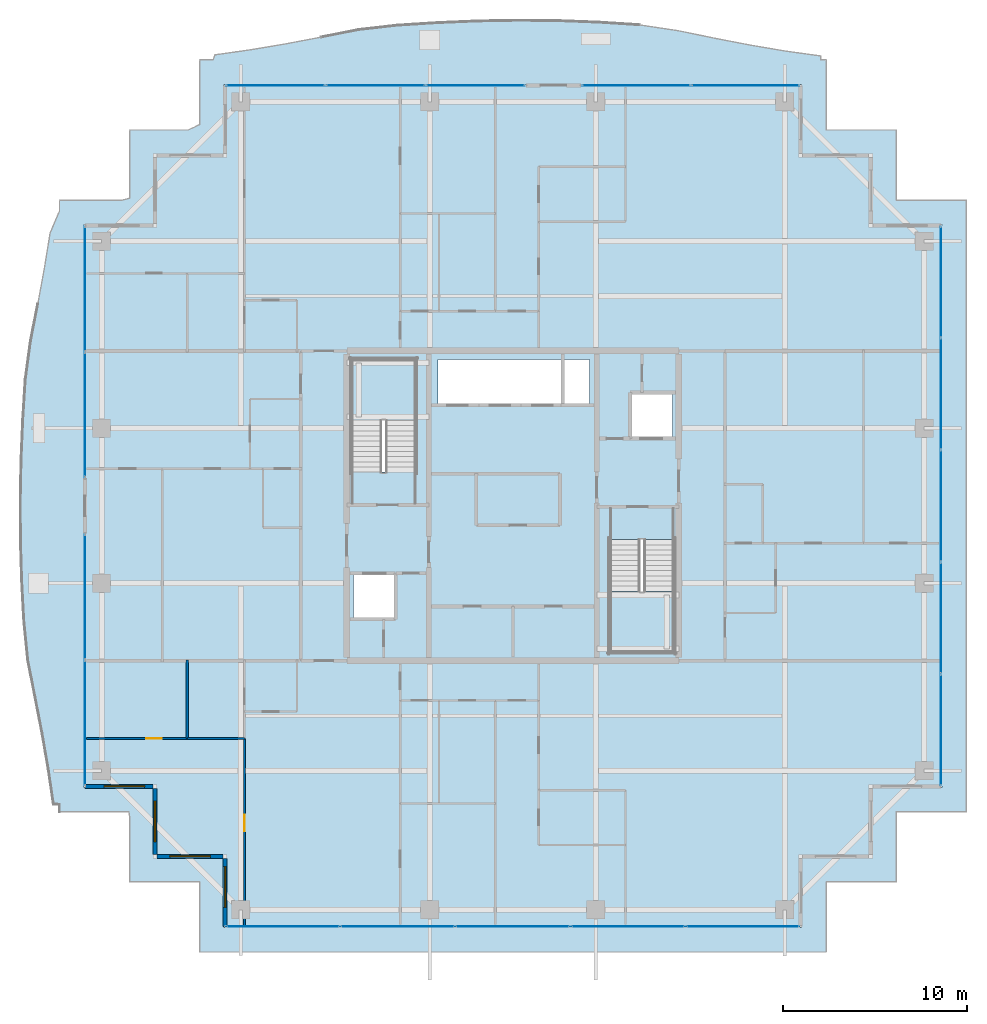
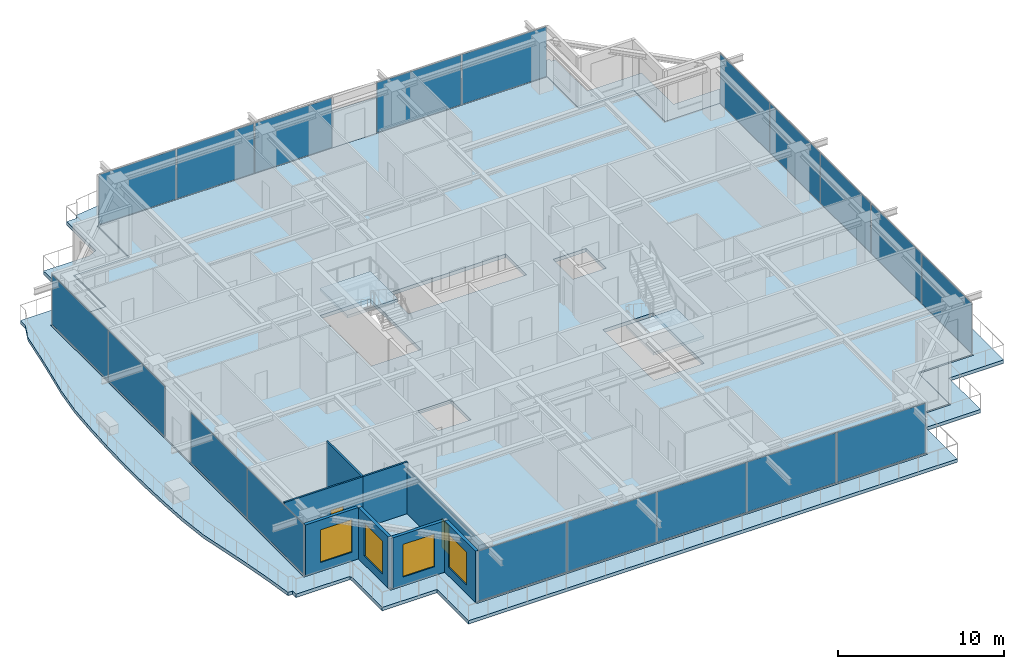
# One storey, part 25 of 37: 19 plates, 8 walls, 4 slabs, 4 windows, 2 doors, 6 openings, 8 elements without a shape of their own.
"""IFC4 building model written with IfcOpenShell, lengths in metres."""

from ifc_helpers import new_model, si_unit, direction, frame, frame_2d, origin, origin_2d, place, context, subcontext, project, spatial, polyline, rectangle, outline, extrude, source, transform, mapped, material, layer, layer_set, type_object, element, fill, aggregate, save


model = new_model("IFC4")

# Units and contexts
model_context = context("Model", 3, precision=1e-05, world=origin(), true_north=direction((0.0, 1.0)))
body_context = subcontext(model_context, "Body", "Model", "MODEL_VIEW")
ifc_project = project(units=[si_unit("LENGTHUNIT", "METRE"), si_unit("AREAUNIT", "SQUARE_METRE"), si_unit("VOLUMEUNIT", "CUBIC_METRE"), si_unit("PLANEANGLEUNIT", "RADIAN"), si_unit("MASSUNIT", "GRAM", prefix="KILO")], contexts=[model_context])

# Site, building, storey
site_placement = place(None, origin())
site = spatial("IfcSite", under=ifc_project, at=site_placement, CompositionType="ELEMENT")
building_placement = place(site_placement, origin())
building = spatial("IfcBuilding", under=site, at=building_placement, Name="Serunith Strait Residences", CompositionType="ELEMENT")
storey_placement = place(building_placement, frame((0.0, 0.0, 317.75)))
storey = spatial("IfcBuildingStorey", under=building, at=storey_placement, Name="L79", CompositionType="ELEMENT", Elevation=317.75)

# Slab
ifc_material_1 = material(Name="Concrete C50/60", Category="concrete")
ifc_layer_1 = layer(ifc_material_1, 0.239990234375, Name="Concrete C50/60")
ifc_layer_set_1 = layer_set([ifc_layer_1], Name="Concrete C50/60")
slab_type_1 = type_object("IfcSlabType", Name="SLB-BALC-240", PredefinedType="FLOOR", material=ifc_layer_set_1)
slab_1_placement = place(storey_placement, frame((0.0, 0.0, -0.2900390625)))
element("IfcSlab", 1, at=slab_1_placement, inside=storey, type_object=slab_type_1, Name="L79 Planted Vertical-Forest Balcony Slab", PredefinedType="FLOOR", context=body_context, shape_type="SweptSolid", body=[
    extrude(outline(polyline([(7.820068359375, 8.6201171875), (7.820068359375, 9.011474609375), (7.50146484375, 9.0302734375), (7.222412109375, 10.92919921875), (6.888916015625, 12.84765625), (6.51123046875, 14.8037109375), (6.11328125, 16.8154296875), (5.89892578125, 18.9365234375), (5.782470703125, 21.10791015625), (5.71630859375, 23.30224609375), (5.704833984375, 25.5068359375), (5.747314453125, 27.708251953125), (5.839111328125, 29.89404296875), (5.973388671875, 32.053466796875), (6.255615234375, 34.14013671875), (6.643798828125, 36.13525390625), (7.00244140625, 38.081298828125), (7.31396484375, 39.995849609375), (7.820068359375, 41.1787109375), (7.820068359375, 41.780029296875), (11.232177734375, 41.780029296875), (11.6201171875, 41.877197265625), (11.6201171875, 45.580078125), (14.803466796875, 45.580078125), (15.419921875, 45.870849609375), (15.419921875, 49.3798828125), (16.151123046875, 49.3798828125), (16.241455078125, 49.65234375), (18.142822265625, 49.919677734375), (20.06201171875, 50.2421875), (22.015625, 50.61279296875), (24.022705078125, 51.011474609375), (26.134765625, 51.251220703125), (28.30322265625, 51.387939453125), (30.498291015625, 51.47998046875), (32.707763671875, 51.517578125), (34.91796875, 51.4951171875), (37.113525390625, 51.41162109375), (39.280517578125, 51.273193359375), (41.36328125, 50.960205078125), (43.35205078125, 50.551025390625), (45.28955078125, 50.17578125), (47.1962890625, 49.854248046875), (49.089111328125, 49.591552734375), (49.0869140625, 49.3798828125), (49.3798828125, 49.3798828125), (49.3798828125, 45.580078125), (53.179931640625, 45.580078125), (53.179931640625, 41.780029296875), (56.97998046875, 41.780029296875), (56.97998046875, 8.6201171875), (53.179931640625, 8.6201171875), (53.179931640625, 4.820068359375), (49.392578125, 4.820068359375), (49.3798828125, 4.815185546875), (49.3798828125, 1.02001953125), (15.419921875, 1.02001953125), (15.419921875, 4.820068359375), (11.6201171875, 4.820068359375), (11.6201171875, 8.3798828125), (11.582763671875, 8.6201171875), (7.820068359375, 8.6201171875)]), holes=[polyline([(48.054931640625, 2.344970703125), (48.054931640625, 6.14501953125), (51.85498046875, 6.14501953125), (51.85498046875, 9.945068359375), (55.655029296875, 9.945068359375), (55.655029296875, 40.455078125), (51.85498046875, 40.455078125), (51.85498046875, 44.2548828125), (48.054931640625, 44.2548828125), (48.054931640625, 48.054931640625), (16.7451171875, 48.054931640625), (16.7451171875, 44.2548828125), (12.945068359375, 44.2548828125), (12.945068359375, 40.455078125), (9.14501953125, 40.455078125), (9.14501953125, 9.945068359375), (12.945068359375, 9.945068359375), (12.945068359375, 6.14501953125), (16.7451171875, 6.14501953125), (16.7451171875, 2.344970703125), (48.054931640625, 2.344970703125)])]), origin(), (0.0, 0.0, 1.0), 0.239990234375),
])

# Stair, slab
stair_type_1 = type_object("IfcStairType", Name="STR-CORE-1", PredefinedType="HALF_TURN_STAIR", material=ifc_material_1)
stair_1_placement = place(storey_placement, origin())
stair_1 = element("IfcStair", 2, at=stair_1_placement, inside=storey, type_object=stair_type_1, Name="L79 Protected Escape Stair ST-1", PredefinedType="HALF_TURN_STAIR")
ifc_layer_2 = layer(ifc_material_1, 0.199951171875, Name="Concrete C50/60")
ifc_layer_set_2 = layer_set([ifc_layer_2], Name="Concrete C50/60")
slab_type_2 = type_object("IfcSlabType", Name="SLB-LAND-200", PredefinedType="LANDING", material=ifc_layer_set_2)
slab_2_placement = place(storey_placement, frame((0.0, 0.0, 1.824951171875)))
slab_2 = element("IfcSlab", 3, at=slab_2_placement, type_object=slab_type_2, Name="ST-1 landing 1", PredefinedType="LANDING", context=body_context, shape_type="SweptSolid", body=[
    extrude(outline(polyline([(27.14990234375, 29.830078125), (27.14990234375, 33.14990234375), (23.64990234375, 33.14990234375), (23.64990234375, 29.830078125), (27.14990234375, 29.830078125)])), origin(), (0.0, 0.0, 1.0), 0.199951171875),
])
aggregate(stair_1, [slab_2])

stair_type_2 = type_object("IfcStairType", Name="STR-CORE-2", PredefinedType="HALF_TURN_STAIR", material=ifc_material_1)
stair_2_placement = place(storey_placement, origin())
stair_2 = element("IfcStair", 4, at=stair_2_placement, inside=storey, type_object=stair_type_2, Name="L79 Protected Escape Stair ST-2", PredefinedType="HALF_TURN_STAIR")
slab_3_placement = place(storey_placement, frame((0.0, 0.0, 1.824951171875)))
slab_3 = element("IfcSlab", 5, at=slab_3_placement, type_object=slab_type_2, Name="ST-2 landing 1", PredefinedType="LANDING", context=body_context, shape_type="SweptSolid", body=[
    extrude(outline(polyline([(37.64990234375, 20.570068359375), (37.64990234375, 17.25), (41.14990234375, 17.25), (41.14990234375, 20.570068359375), (37.64990234375, 20.570068359375)])), origin(), (0.0, 0.0, 1.0), 0.199951171875),
])
aggregate(stair_2, [slab_3])

# Slab
ifc_material_2 = material(Name="Concrete C60/75", Category="concrete")
ifc_layer_3 = layer(ifc_material_2, 0.260009765625, Name="Concrete C60/75")
ifc_layer_set_3 = layer_set([ifc_layer_3], Name="Concrete C60/75")
slab_type_3 = type_object("IfcSlabType", Name="SLB-TWR-290-Z4", PredefinedType="FLOOR", material=ifc_layer_set_3)
slab_4_placement = place(storey_placement, frame((0.0, 0.0, -0.260009765625)))
element("IfcSlab", 6, at=slab_4_placement, inside=storey, type_object=slab_type_3, Name="L79 Structural Floor Plate", PredefinedType="FLOOR", context=body_context, shape_type="SweptSolid", body=[
    extrude(outline(polyline([(16.800048828125, 6.199951171875), (13.0, 6.199951171875), (13.0, 10.0), (9.199951171875, 10.0), (9.199951171875, 40.39990234375), (13.0, 40.39990234375), (13.0, 44.199951171875), (16.800048828125, 44.199951171875), (16.800048828125, 48.0), (48.0, 48.0), (48.0, 44.199951171875), (51.800048828125, 44.199951171875), (51.800048828125, 40.39990234375), (55.60009765625, 40.39990234375), (55.60009765625, 10.0), (51.800048828125, 10.0), (51.800048828125, 6.199951171875), (48.0, 6.199951171875), (48.0, 2.39990234375), (16.800048828125, 2.39990234375), (16.800048828125, 6.199951171875)]), holes=[polyline([(41.14990234375, 23.3701171875), (37.64990234375, 23.3701171875), (37.64990234375, 17.25), (41.14990234375, 17.25), (41.14990234375, 23.3701171875)]), polyline([(38.75, 31.25), (38.75, 28.85009765625), (41.050048828125, 28.85009765625), (41.050048828125, 31.25), (38.75, 31.25)]), polyline([(36.550048828125, 33.14990234375), (28.35009765625, 33.14990234375), (28.35009765625, 30.64990234375), (36.550048828125, 30.64990234375), (36.550048828125, 33.14990234375)]), polyline([(23.64990234375, 33.14990234375), (23.64990234375, 27.030029296875), (27.14990234375, 27.030029296875), (27.14990234375, 33.14990234375), (23.64990234375, 33.14990234375)]), polyline([(23.75, 21.550048828125), (23.75, 19.14990234375), (26.050048828125, 19.14990234375), (26.050048828125, 21.550048828125), (23.75, 21.550048828125)])]), origin(), (0.0, 0.0, 1.0), 0.260009765625),
])

# Curtain wall, plates
ifc_material_3 = material(Name="Brushed Stainless-Silver Aluminium", Category="aluminium")
ifc_layer_4 = layer(ifc_material_3, 0.199951171875, Name="Brushed Stainless-Silver Aluminium")
ifc_layer_set_4 = layer_set([ifc_layer_4], Name="Brushed Stainless-Silver Aluminium")
curtain_wall_type = type_object("IfcCurtainWallType", Name="CW-SYS5", PredefinedType="NOTDEFINED", material=ifc_layer_set_4)
curtain_wall_1_placement = place(storey_placement, origin())
curtain_wall_1 = element("IfcCurtainWall", 7, at=curtain_wall_1_placement, inside=storey, type_object=curtain_wall_type, Name="L79 W Unitised Fritted Curtain Wall", PredefinedType="NOTDEFINED")
ifc_material_4 = material(Name="Triple-Silver Low-E Operable Glazing 34mm", Category="glass")
ifc_layer_5 = layer(ifc_material_4, 0.033935546875, Name="Triple-Silver Low-E Operable Glazing 34mm")
ifc_layer_set_5 = layer_set([ifc_layer_5], Name="Triple-Silver Low-E Operable Glazing 34mm")
plate_type = type_object("IfcPlateType", Name="CW-SYS5-PNL", PredefinedType="CURTAIN_PANEL", material=ifc_layer_set_5)
shared_shape_1 = source(origin(), body_context, "Body", "SweptSolid", [
    extrude(rectangle(XDim=6.75244140625, YDim=0.033935546875, at=origin_2d()), origin(), (0.0, 0.0, 1.0), 3.655029296875),
])
plate_1_placement = place(storey_placement, frame((9.199951171875, 36.958740234375, 0.06005859375), z_axis=(0.0, 0.0, 1.0), x_axis=(0.0, -1.0, 0.0)))
plate_1 = element("IfcPlate", 8, at=plate_1_placement, type_object=plate_type, Name="CW-5 panel 1.1", PredefinedType="CURTAIN_PANEL", context=body_context, shape_type="MappedRepresentation", body=[
    mapped(shared_shape_1, transform((0.0, 0.0, 0.0), scale=1.0)),
])
plate_2_placement = place(storey_placement, frame((9.199951171875, 30.141357421875, 0.06005859375), z_axis=(0.0, 0.0, 1.0), x_axis=(0.0, -1.0, 0.0)))
plate_2 = element("IfcPlate", 9, at=plate_2_placement, type_object=plate_type, Name="CW-5 panel 2.1", PredefinedType="CURTAIN_PANEL", context=body_context, shape_type="MappedRepresentation", body=[
    mapped(shared_shape_1, transform((0.0, 0.0, 0.0), scale=1.0)),
])
aggregate(curtain_wall_1, [plate_1, plate_2])

curtain_wall_2_placement = place(storey_placement, origin())
curtain_wall_2 = element("IfcCurtainWall", 10, at=curtain_wall_2_placement, inside=storey, type_object=curtain_wall_type, Name="L79 W Unitised Fritted Curtain Wall", PredefinedType="NOTDEFINED")
plate_3_placement = place(storey_placement, frame((9.199951171875, 20.2587890625, 0.06005859375), z_axis=(0.0, 0.0, 1.0), x_axis=(0.0, -1.0, 0.0)))
plate_3 = element("IfcPlate", 11, at=plate_3_placement, type_object=plate_type, Name="CW-5 panel 1.1", PredefinedType="CURTAIN_PANEL", context=body_context, shape_type="MappedRepresentation", body=[
    mapped(shared_shape_1, transform((0.0, 0.0, 0.0), scale=1.0)),
])
plate_4_placement = place(storey_placement, frame((9.199951171875, 13.441162109375, 0.06005859375), z_axis=(0.0, 0.0, 1.0), x_axis=(0.0, -1.0, 0.0)))
plate_4 = element("IfcPlate", 12, at=plate_4_placement, type_object=plate_type, Name="CW-5 panel 2.1", PredefinedType="CURTAIN_PANEL", context=body_context, shape_type="MappedRepresentation", body=[
    mapped(shared_shape_1, transform((0.0, 0.0, 0.0), scale=1.0)),
])
aggregate(curtain_wall_2, [plate_3, plate_4])

curtain_wall_3_placement = place(storey_placement, origin())
curtain_wall_3 = element("IfcCurtainWall", 13, at=curtain_wall_3_placement, inside=storey, type_object=curtain_wall_type, Name="L79 S Unitised Fritted Curtain Wall", PredefinedType="NOTDEFINED")
shared_shape_2 = source(origin(), body_context, "Body", "SweptSolid", [
    extrude(rectangle(XDim=6.142578125, YDim=0.033935546875, at=origin_2d()), origin(), (0.0, 0.0, 1.0), 3.655029296875),
])
plate_5_placement = place(storey_placement, frame((19.936279296875, 2.39990234375, 0.06005859375), z_axis=(0.0, 0.0, 1.0), x_axis=(1.0, 0.0, 0.0)))
plate_5 = element("IfcPlate", 14, at=plate_5_placement, type_object=plate_type, Name="CW-5 panel 1.1", PredefinedType="CURTAIN_PANEL", context=body_context, shape_type="MappedRepresentation", body=[
    mapped(shared_shape_2, transform((0.0, 0.0, 0.0), scale=1.0)),
])
plate_6_placement = place(storey_placement, frame((44.86376953125, 2.39990234375, 0.06005859375), z_axis=(0.0, 0.0, 1.0), x_axis=(1.0, 0.0, 0.0)))
plate_6 = element("IfcPlate", 15, at=plate_6_placement, type_object=plate_type, Name="CW-5 panel 5.1", PredefinedType="CURTAIN_PANEL", context=body_context, shape_type="MappedRepresentation", body=[
    mapped(shared_shape_2, transform((0.0, 0.0, 0.0), scale=1.0)),
])
shared_shape_3 = source(origin(), body_context, "Body", "SweptSolid", [
    extrude(rectangle(XDim=6.175048828125, YDim=0.033935546875, at=origin_2d()), origin(), (0.0, 0.0, 1.0), 3.655029296875),
])
plate_7_placement = place(storey_placement, frame((26.159912109375, 2.39990234375, 0.06005859375), z_axis=(0.0, 0.0, 1.0), x_axis=(1.0, 0.0, 0.0)))
plate_7 = element("IfcPlate", 16, at=plate_7_placement, type_object=plate_type, Name="CW-5 panel 2.1", PredefinedType="CURTAIN_PANEL", context=body_context, shape_type="MappedRepresentation", body=[
    mapped(shared_shape_3, transform((0.0, 0.0, 0.0), scale=1.0)),
])
plate_8_placement = place(storey_placement, frame((32.39990234375, 2.39990234375, 0.06005859375), z_axis=(0.0, 0.0, 1.0), x_axis=(1.0, 0.0, 0.0)))
plate_8 = element("IfcPlate", 17, at=plate_8_placement, type_object=plate_type, Name="CW-5 panel 3.1", PredefinedType="CURTAIN_PANEL", context=body_context, shape_type="MappedRepresentation", body=[
    mapped(shared_shape_3, transform((0.0, 0.0, 0.0), scale=1.0)),
])
plate_9_placement = place(storey_placement, frame((38.639892578125, 2.39990234375, 0.06005859375), z_axis=(0.0, 0.0, 1.0), x_axis=(1.0, 0.0, 0.0)))
plate_9 = element("IfcPlate", 18, at=plate_9_placement, type_object=plate_type, Name="CW-5 panel 4.1", PredefinedType="CURTAIN_PANEL", context=body_context, shape_type="MappedRepresentation", body=[
    mapped(shared_shape_3, transform((0.0, 0.0, 0.0), scale=1.0)),
])
aggregate(curtain_wall_3, [plate_5, plate_7, plate_8, plate_9, plate_6])

curtain_wall_4_placement = place(storey_placement, origin())
curtain_wall_4 = element("IfcCurtainWall", 19, at=curtain_wall_4_placement, inside=storey, type_object=curtain_wall_type, Name="L79 E Unitised Fritted Curtain Wall", PredefinedType="NOTDEFINED")
shared_shape_4 = source(origin(), body_context, "Body", "SweptSolid", [
    extrude(rectangle(XDim=5.982421875, YDim=0.033935546875, at=origin_2d()), origin(), (0.0, 0.0, 1.0), 3.655029296875),
])
plate_10_placement = place(storey_placement, frame((55.60009765625, 13.05615234375, 0.06005859375), z_axis=(0.0, 0.0, 1.0), x_axis=(0.0, 1.0, 0.0)))
plate_10 = element("IfcPlate", 20, at=plate_10_placement, type_object=plate_type, Name="CW-5 panel 1.1", PredefinedType="CURTAIN_PANEL", context=body_context, shape_type="MappedRepresentation", body=[
    mapped(shared_shape_4, transform((0.0, 0.0, 0.0), scale=1.0)),
])
plate_11_placement = place(storey_placement, frame((55.60009765625, 37.34375, 0.06005859375), z_axis=(0.0, 0.0, 1.0), x_axis=(0.0, 1.0, 0.0)))
plate_11 = element("IfcPlate", 21, at=plate_11_placement, type_object=plate_type, Name="CW-5 panel 5.1", PredefinedType="CURTAIN_PANEL", context=body_context, shape_type="MappedRepresentation", body=[
    mapped(shared_shape_4, transform((0.0, 0.0, 0.0), scale=1.0)),
])
shared_shape_5 = source(origin(), body_context, "Body", "SweptSolid", [
    extrude(rectangle(XDim=6.014892578125, YDim=0.033935546875, at=origin_2d()), origin(), (0.0, 0.0, 1.0), 3.655029296875),
])
plate_12_placement = place(storey_placement, frame((55.60009765625, 19.1201171875, 0.06005859375), z_axis=(0.0, 0.0, 1.0), x_axis=(0.0, 1.0, 0.0)))
plate_12 = element("IfcPlate", 22, at=plate_12_placement, type_object=plate_type, Name="CW-5 panel 2.1", PredefinedType="CURTAIN_PANEL", context=body_context, shape_type="MappedRepresentation", body=[
    mapped(shared_shape_5, transform((0.0, 0.0, 0.0), scale=1.0)),
])
plate_13_placement = place(storey_placement, frame((55.60009765625, 25.199951171875, 0.06005859375), z_axis=(0.0, 0.0, 1.0), x_axis=(0.0, 1.0, 0.0)))
plate_13 = element("IfcPlate", 23, at=plate_13_placement, type_object=plate_type, Name="CW-5 panel 3.1", PredefinedType="CURTAIN_PANEL", context=body_context, shape_type="MappedRepresentation", body=[
    mapped(shared_shape_5, transform((0.0, 0.0, 0.0), scale=1.0)),
])
plate_14_placement = place(storey_placement, frame((55.60009765625, 31.280029296875, 0.06005859375), z_axis=(0.0, 0.0, 1.0), x_axis=(0.0, 1.0, 0.0)))
plate_14 = element("IfcPlate", 24, at=plate_14_placement, type_object=plate_type, Name="CW-5 panel 4.1", PredefinedType="CURTAIN_PANEL", context=body_context, shape_type="MappedRepresentation", body=[
    mapped(shared_shape_5, transform((0.0, 0.0, 0.0), scale=1.0)),
])
aggregate(curtain_wall_4, [plate_10, plate_12, plate_13, plate_14, plate_11])

curtain_wall_5_placement = place(storey_placement, origin())
curtain_wall_5 = element("IfcCurtainWall", 25, at=curtain_wall_5_placement, inside=storey, type_object=curtain_wall_type, Name="L79 N Unitised Fritted Curtain Wall", PredefinedType="NOTDEFINED")
shared_shape_6 = source(origin(), body_context, "Body", "SweptSolid", [
    extrude(rectangle(XDim=5.8525390625, YDim=0.033935546875, at=origin_2d()), origin(), (0.0, 0.0, 1.0), 3.655029296875),
])
plate_15_placement = place(storey_placement, frame((45.0087890625, 48.0, 0.06005859375), z_axis=(0.0, 0.0, 1.0), x_axis=(-1.0, 0.0, 0.0)))
plate_15 = element("IfcPlate", 26, at=plate_15_placement, type_object=plate_type, Name="CW-5 panel 1.1", PredefinedType="CURTAIN_PANEL", context=body_context, shape_type="MappedRepresentation", body=[
    mapped(shared_shape_6, transform((0.0, 0.0, 0.0), scale=1.0)),
])
plate_16_placement = place(storey_placement, frame((39.09130859375, 48.0, 0.06005859375), z_axis=(0.0, 0.0, 1.0), x_axis=(-1.0, 0.0, 0.0)))
plate_16 = element("IfcPlate", 27, at=plate_16_placement, type_object=plate_type, Name="CW-5 panel 2.1", PredefinedType="CURTAIN_PANEL", context=body_context, shape_type="MappedRepresentation", body=[
    mapped(shared_shape_6, transform((0.0, 0.0, 0.0), scale=1.0)),
])
aggregate(curtain_wall_5, [plate_15, plate_16])

curtain_wall_6_placement = place(storey_placement, origin())
curtain_wall_6 = element("IfcCurtainWall", 28, at=curtain_wall_6_placement, inside=storey, type_object=curtain_wall_type, Name="L79 N Unitised Fritted Curtain Wall", PredefinedType="NOTDEFINED")
shared_shape_7 = source(origin(), body_context, "Body", "SweptSolid", [
    extrude(rectangle(XDim=5.3359375, YDim=0.033935546875, at=origin_2d()), origin(), (0.0, 0.0, 1.0), 3.655029296875),
])
plate_17_placement = place(storey_placement, frame((30.3671875, 48.0, 0.06005859375), z_axis=(0.0, 0.0, 1.0), x_axis=(-1.0, 0.0, 0.0)))
plate_17 = element("IfcPlate", 29, at=plate_17_placement, type_object=plate_type, Name="CW-5 panel 1.1", PredefinedType="CURTAIN_PANEL", context=body_context, shape_type="MappedRepresentation", body=[
    mapped(shared_shape_7, transform((0.0, 0.0, 0.0), scale=1.0)),
])
plate_18_placement = place(storey_placement, frame((19.532958984375, 48.0, 0.06005859375), z_axis=(0.0, 0.0, 1.0), x_axis=(-1.0, 0.0, 0.0)))
plate_18 = element("IfcPlate", 30, at=plate_18_placement, type_object=plate_type, Name="CW-5 panel 3.1", PredefinedType="CURTAIN_PANEL", context=body_context, shape_type="MappedRepresentation", body=[
    mapped(shared_shape_7, transform((0.0, 0.0, 0.0), scale=1.0)),
])
shared_shape_8 = source(origin(), body_context, "Body", "SweptSolid", [
    extrude(rectangle(XDim=5.368408203125, YDim=0.033935546875, at=origin_2d()), origin(), (0.0, 0.0, 1.0), 3.655029296875),
])
plate_19_placement = place(storey_placement, frame((24.949951171875, 48.0, 0.06005859375), z_axis=(0.0, 0.0, 1.0), x_axis=(-1.0, 0.0, 0.0)))
plate_19 = element("IfcPlate", 31, at=plate_19_placement, type_object=plate_type, Name="CW-5 panel 2.1", PredefinedType="CURTAIN_PANEL", context=body_context, shape_type="MappedRepresentation", body=[
    mapped(shared_shape_8, transform((0.0, 0.0, 0.0), scale=1.0)),
])
aggregate(curtain_wall_6, [plate_17, plate_19, plate_18])

# Wall, opening, window
ifc_material_5 = material(Name="Pale-Champagne Aluminium Insulated Panel", Category="aluminium")
ifc_layer_6 = layer(ifc_material_5, 0.219970703125, Name="Pale-Champagne Aluminium Insulated Panel")
ifc_layer_set_6 = layer_set([ifc_layer_6], Name="Pale-Champagne Aluminium Insulated Panel")
wall_type_1 = type_object("IfcWallType", Name="EW-ALUM-220", PredefinedType="ELEMENTEDWALL", material=ifc_layer_set_6)
wall_1_placement = place(storey_placement, frame((9.199951171875, 10.0, 0.0), z_axis=(0.0, 0.0, 1.0), x_axis=(1.0, 0.0, 0.0)))
wall_1 = element("IfcWall", 32, at=wall_1_placement, inside=storey, type_object=wall_type_1, Name="L79 Girih Serrated Corner Wall 17", PredefinedType="ELEMENTEDWALL", context=body_context, shape_type="SweptSolid", body=[
    extrude(rectangle(XDim=3.68994140625, YDim=0.219970703125, at=frame_2d((1.844970703125, 0.0))), origin(), (0.0, 0.0, 1.0), 3.77490234375),
])
opening_1_placement = place(wall_1_placement, frame((1.04296875, 0.0, 0.64990234375)))
opening_1 = element("IfcOpeningElement", 33, at=opening_1_placement, cuts=wall_1, Name="Opening W-06", PredefinedType="OPENING", context=body_context, shape_type="SweptSolid", body=[
    extrude(rectangle(XDim=2.199951171875, YDim=2.39990234375, at=frame_2d((1.10009765625, 1.199951171875))), frame((0.0, 0.1201171875, 0.0), z_axis=(0.0, -1.0, 0.0), x_axis=(1.0, 0.0, 0.0)), (0.0, 0.0, 1.0), 0.239990234375),
])
ifc_material_6 = material(Name="Crown Penthouse Low-E Operable Window Glass", Category="glass")
window_type = type_object("IfcWindowType", Name="WIN-C6", PartitioningType="TRIPLE_PANEL_VERTICAL", PredefinedType="WINDOW", material=ifc_material_6)
shared_shape_9 = source(origin(), body_context, "Body", "SweptSolid", [
    extrude(rectangle(XDim=2.199951171875, YDim=2.39990234375, at=frame_2d((1.10009765625, 1.199951171875))), frame((0.0, 0.030029296875, 0.0), z_axis=(0.0, -1.0, 0.0), x_axis=(1.0, 0.0, 0.0)), (0.0, 0.0, 1.0), 0.06005859375),
])
window_1_placement = place(opening_1_placement, origin())
window_1 = element("IfcWindow", 34, at=window_1_placement, inside=storey, type_object=window_type, Name="L79 Corner Operable Fritted Window 17", OverallHeight=2.39990234375, OverallWidth=2.199951171875, PartitioningType="SINGLE_PANEL", PredefinedType="WINDOW", context=body_context, shape_type="MappedRepresentation", body=[
    mapped(shared_shape_9, transform((0.0, 0.0, 0.0), scale=1.0)),
])
fill(opening_1, window_1)

wall_2_placement = place(storey_placement, frame((13.0, 9.889892578125, 0.0), z_axis=(0.0, 0.0, 1.0), x_axis=(0.0, -1.0, 0.0)))
wall_2 = element("IfcWall", 35, at=wall_2_placement, inside=storey, type_object=wall_type_1, Name="L79 Girih Serrated Corner Wall 18", PredefinedType="ELEMENTEDWALL", context=body_context, shape_type="SweptSolid", body=[
    extrude(rectangle(XDim=3.579833984375, YDim=0.219970703125, at=frame_2d((1.7900390625, 0.0))), origin(), (0.0, 0.0, 1.0), 3.77490234375),
])
opening_2_placement = place(wall_2_placement, frame((0.68994140625, 0.0, 0.64990234375)))
opening_2 = element("IfcOpeningElement", 36, at=opening_2_placement, cuts=wall_2, Name="Opening W-06", PredefinedType="OPENING", context=body_context, shape_type="SweptSolid", body=[
    extrude(rectangle(XDim=2.199951171875, YDim=2.39990234375, at=frame_2d((1.10009765625, 1.199951171875))), frame((0.0, 0.1201171875, 0.0), z_axis=(0.0, -1.0, 0.0), x_axis=(1.0, 0.0, 0.0)), (0.0, 0.0, 1.0), 0.239990234375),
])
window_2_placement = place(opening_2_placement, origin())
window_2 = element("IfcWindow", 37, at=window_2_placement, inside=storey, type_object=window_type, Name="L79 Corner Operable Fritted Window 18", OverallHeight=2.39990234375, OverallWidth=2.199951171875, PartitioningType="SINGLE_PANEL", PredefinedType="WINDOW", context=body_context, shape_type="MappedRepresentation", body=[
    mapped(shared_shape_9, transform((0.0, 0.0, 0.0), scale=1.0)),
])
fill(opening_2, window_2)

wall_3_placement = place(storey_placement, frame((13.110107421875, 6.199951171875, 0.0), z_axis=(0.0, 0.0, 1.0), x_axis=(1.0, 0.0, 0.0)))
wall_3 = element("IfcWall", 38, at=wall_3_placement, inside=storey, type_object=wall_type_1, Name="L79 Girih Serrated Corner Wall 19", PredefinedType="ELEMENTEDWALL", context=body_context, shape_type="SweptSolid", body=[
    extrude(rectangle(XDim=3.579833984375, YDim=0.219970703125, at=frame_2d((1.7900390625, 0.0))), origin(), (0.0, 0.0, 1.0), 3.77490234375),
])
opening_3_placement = place(wall_3_placement, frame((0.68994140625, 0.0, 0.64990234375)))
opening_3 = element("IfcOpeningElement", 39, at=opening_3_placement, cuts=wall_3, Name="Opening W-06", PredefinedType="OPENING", context=body_context, shape_type="SweptSolid", body=[
    extrude(rectangle(XDim=2.199951171875, YDim=2.39990234375, at=frame_2d((1.10009765625, 1.199951171875))), frame((0.0, 0.1201171875, 0.0), z_axis=(0.0, -1.0, 0.0), x_axis=(1.0, 0.0, 0.0)), (0.0, 0.0, 1.0), 0.239990234375),
])
window_3_placement = place(opening_3_placement, origin())
window_3 = element("IfcWindow", 40, at=window_3_placement, inside=storey, type_object=window_type, Name="L79 Corner Operable Fritted Window 19", OverallHeight=2.39990234375, OverallWidth=2.199951171875, PartitioningType="SINGLE_PANEL", PredefinedType="WINDOW", context=body_context, shape_type="MappedRepresentation", body=[
    mapped(shared_shape_9, transform((0.0, 0.0, 0.0), scale=1.0)),
])
fill(opening_3, window_3)

wall_4_placement = place(storey_placement, frame((16.800048828125, 6.090087890625, 0.0), z_axis=(0.0, 0.0, 1.0), x_axis=(0.0, -1.0, 0.0)))
wall_4 = element("IfcWall", 41, at=wall_4_placement, inside=storey, type_object=wall_type_1, Name="L79 Girih Serrated Corner Wall 20", PredefinedType="ELEMENTEDWALL", context=body_context, shape_type="SweptSolid", body=[
    extrude(rectangle(XDim=3.690185546875, YDim=0.219970703125, at=frame_2d((1.84521484375, 0.0))), origin(), (0.0, 0.0, 1.0), 3.77490234375),
])
opening_4_placement = place(wall_4_placement, frame((0.447021484375, 0.0, 0.64990234375)))
opening_4 = element("IfcOpeningElement", 42, at=opening_4_placement, cuts=wall_4, Name="Opening W-06", PredefinedType="OPENING", context=body_context, shape_type="SweptSolid", body=[
    extrude(rectangle(XDim=2.199951171875, YDim=2.39990234375, at=frame_2d((1.10009765625, 1.199951171875))), frame((0.0, 0.1201171875, 0.0), z_axis=(0.0, -1.0, 0.0), x_axis=(1.0, 0.0, 0.0)), (0.0, 0.0, 1.0), 0.239990234375),
])
window_4_placement = place(opening_4_placement, origin())
window_4 = element("IfcWindow", 43, at=window_4_placement, inside=storey, type_object=window_type, Name="L79 Corner Operable Fritted Window 20", OverallHeight=2.39990234375, OverallWidth=2.199951171875, PartitioningType="SINGLE_PANEL", PredefinedType="WINDOW", context=body_context, shape_type="MappedRepresentation", body=[
    mapped(shared_shape_9, transform((0.0, 0.0, 0.0), scale=1.0)),
])
fill(opening_4, window_4)

# Wall, opening, door
ifc_material_7 = material(Name="Lightweight steel-stud gypsum partition", Category="steel")
ifc_layer_7 = layer(ifc_material_7, 0.1201171875, Name="Lightweight steel-stud gypsum partition")
ifc_layer_set_7 = layer_set([ifc_layer_7], Name="Lightweight steel-stud gypsum partition")
wall_type_2 = type_object("IfcWallType", Name="IW-PART-120", PredefinedType="PARTITIONING", material=ifc_layer_set_7)
wall_5_placement = place(storey_placement, frame((17.85009765625, 2.4951171875, 0.0), z_axis=(0.0, 0.0, 1.0), x_axis=(0.0, 1.0, 0.0)))
wall_5 = element("IfcWall", 44, at=wall_5_placement, inside=storey, type_object=wall_type_2, Name="L79 Partition Wall 032", PredefinedType="PARTITIONING", context=body_context, shape_type="SweptSolid", body=[
    extrude(rectangle(XDim=10.097900390625, YDim=0.1201171875, at=frame_2d((5.048828125, 0.0))), origin(), (0.0, 0.0, 1.0), 3.2919921875),
])
opening_5_placement = place(wall_5_placement, frame((5.05908203125, 0.0, 0.0)))
opening_5 = element("IfcOpeningElement", 45, at=opening_5_placement, cuts=wall_5, Name="Opening D-RM900", PredefinedType="OPENING", context=body_context, shape_type="SweptSolid", body=[
    extrude(rectangle(XDim=0.89990234375, YDim=2.10009765625, at=frame_2d((0.449951171875, 1.050048828125))), frame((0.0, 0.070068359375, 0.0), z_axis=(0.0, -1.0, 0.0), x_axis=(1.0, 0.0, 0.0)), (0.0, 0.0, 1.0), 0.14013671875),
])
ifc_material_8 = material(Name="Engineered timber flush bedroom door", Category="wood")
door_type_1 = type_object("IfcDoorType", Name="ID-ROOM-900", OperationType="NOTDEFINED", PredefinedType="DOOR", material=ifc_material_8)
shared_shape_10 = source(origin(), body_context, "Body", "SweptSolid", [
    extrude(rectangle(XDim=0.89990234375, YDim=2.10009765625, at=frame_2d((0.449951171875, 1.050048828125))), frame((0.0, 0.02490234375, 0.0), z_axis=(0.0, -1.0, 0.0), x_axis=(1.0, 0.0, 0.0)), (0.0, 0.0, 1.0), 0.050048828125),
])
door_1_placement = place(opening_5_placement, origin())
door_1 = element("IfcDoor", 46, at=door_1_placement, inside=storey, type_object=door_type_1, Name="L79 Master Bedroom 1 7901 Door", OperationType="SINGLE_SWING_RIGHT", OverallHeight=2.10009765625, OverallWidth=0.89990234375, PredefinedType="DOOR", context=body_context, shape_type="MappedRepresentation", body=[
    mapped(shared_shape_10, transform((0.0, 0.0, 0.0), scale=1.0)),
])
fill(opening_5, door_1)

wall_6_placement = place(storey_placement, frame((9.294921875, 12.593017578125, 0.0), z_axis=(0.0, 0.0, 1.0), x_axis=(1.0, 0.0, 0.0)))
wall_6 = element("IfcWall", 47, at=wall_6_placement, inside=storey, type_object=wall_type_2, Name="L79 Partition Wall 033", PredefinedType="PARTITIONING", context=body_context, shape_type="SweptSolid", body=[
    extrude(rectangle(XDim=5.455078125, YDim=0.1201171875, at=frame_2d((2.7275390625, 0.0))), origin(), (0.0, 0.0, 1.0), 3.7900390625),
])
opening_6_placement = place(wall_6_placement, frame((3.22412109375, 0.0, 0.0)))
opening_6 = element("IfcOpeningElement", 48, at=opening_6_placement, cuts=wall_6, Name="Opening D-RM850", PredefinedType="OPENING", context=body_context, shape_type="SweptSolid", body=[
    extrude(rectangle(XDim=0.85009765625, YDim=2.10009765625, at=frame_2d((0.425048828125, 1.050048828125))), frame((0.0, 0.070068359375, 0.0), z_axis=(0.0, -1.0, 0.0), x_axis=(1.0, 0.0, 0.0)), (0.0, 0.0, 1.0), 0.14013671875),
])
ifc_material_9 = material(Name="Engineered timber flush study and kitchen door", Category="wood")
door_type_2 = type_object("IfcDoorType", Name="ID-ROOM-850", OperationType="NOTDEFINED", PredefinedType="DOOR", material=ifc_material_9)
shared_shape_11 = source(origin(), body_context, "Body", "SweptSolid", [
    extrude(rectangle(XDim=0.85009765625, YDim=2.10009765625, at=frame_2d((0.425048828125, 1.050048828125))), frame((0.0, 0.02490234375, 0.0), z_axis=(0.0, -1.0, 0.0), x_axis=(1.0, 0.0, 0.0)), (0.0, 0.0, 1.0), 0.050048828125),
])
door_2_placement = place(opening_6_placement, origin())
door_2 = element("IfcDoor", 49, at=door_2_placement, inside=storey, type_object=door_type_2, Name="L79 Wardrobe 7901 Door", OperationType="SINGLE_SWING_LEFT", OverallHeight=2.10009765625, OverallWidth=0.85009765625, PredefinedType="DOOR", context=body_context, shape_type="MappedRepresentation", body=[
    mapped(shared_shape_11, transform((0.0, 0.0, 0.0), scale=1.0)),
])
fill(opening_6, door_2)

# Walls
wall_7_placement = place(storey_placement, frame((14.751953125, 12.593017578125, 0.0), z_axis=(0.0, 0.0, 1.0), x_axis=(1.0, 0.0, 0.0)))
element("IfcWall", 50, at=wall_7_placement, inside=storey, type_object=wall_type_2, Name="L79 Partition Wall 034", PredefinedType="PARTITIONING", context=body_context, shape_type="SweptSolid", body=[
    extrude(rectangle(XDim=3.09814453125, YDim=0.1201171875, at=frame_2d((1.549072265625, 0.0))), origin(), (0.0, 0.0, 1.0), 3.7900390625),
])
wall_8_placement = place(storey_placement, frame((14.75, 12.593017578125, 0.0), z_axis=(0.0, 0.0, 1.0), x_axis=(0.0, 1.0, 0.0)))
element("IfcWall", 51, at=wall_8_placement, inside=storey, type_object=wall_type_2, Name="L79 Partition Wall 035", PredefinedType="PARTITIONING", context=body_context, shape_type="SweptSolid", body=[
    extrude(rectangle(XDim=4.26708984375, YDim=0.1201171875, at=frame_2d((2.133544921875, 0.0))), origin(), (0.0, 0.0, 1.0), 3.7900390625),
])

save(model, "model.ifc")
